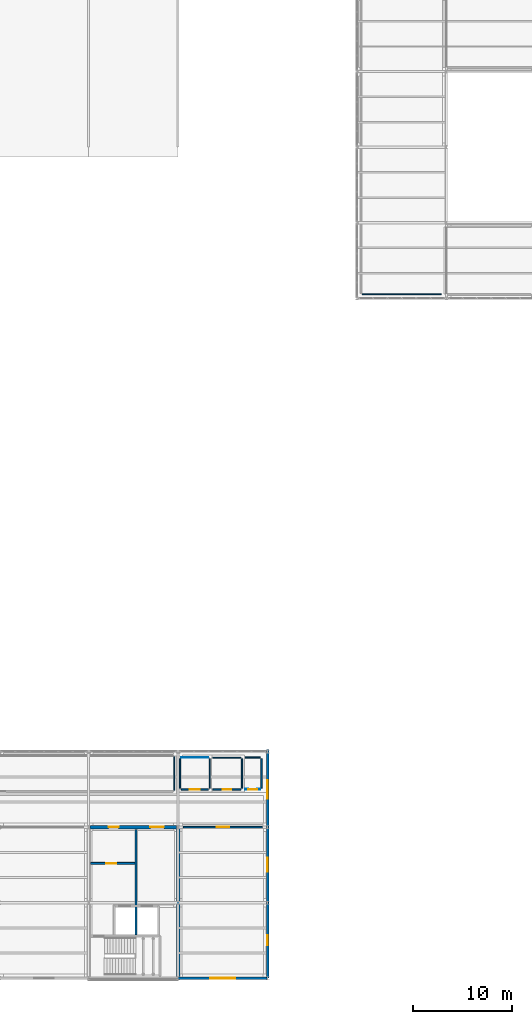
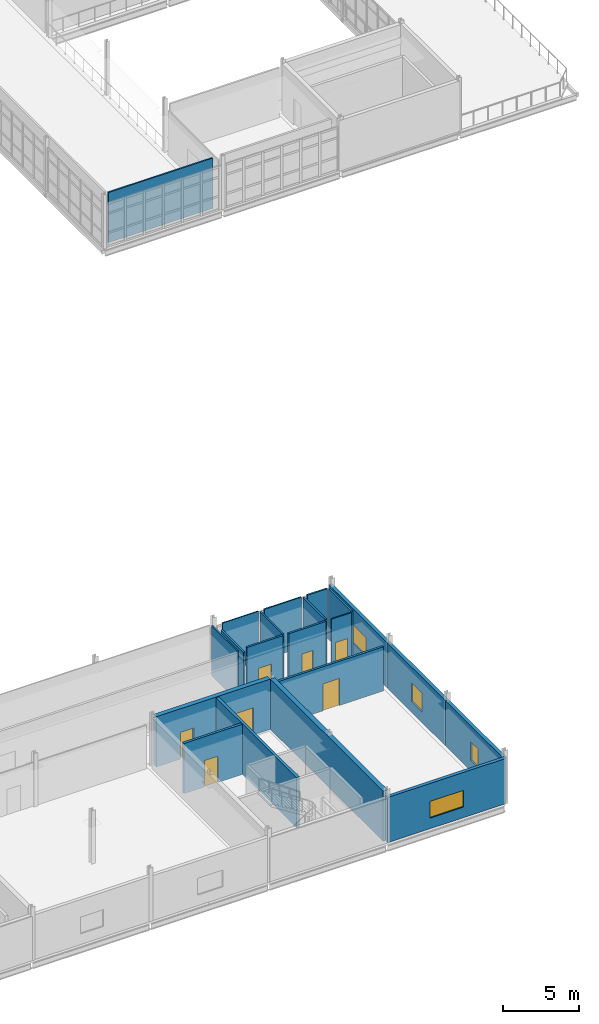
# One storey, part 42 of 48: 21 walls, 7 doors, 4 windows, 11 openings.
"""IFC4 building model written with IfcOpenShell, lengths in metres."""

from ifc_helpers import new_model, si_unit, direction, frame, frame_2d, origin, place, context, subcontext, project, spatial, rectangle, extrude, material, layer, layer_set, type_object, element, fill, save


model = new_model("IFC4")

# Units and contexts
model_context = context("Model", 3, precision=1e-05, world=origin(), true_north=direction((0.0, 1.0)))
body_context = subcontext(model_context, "Body", "Model", "MODEL_VIEW")
ifc_project = project(units=[si_unit("LENGTHUNIT", "METRE"), si_unit("AREAUNIT", "SQUARE_METRE"), si_unit("VOLUMEUNIT", "CUBIC_METRE"), si_unit("PLANEANGLEUNIT", "RADIAN"), si_unit("MASSUNIT", "GRAM", prefix="KILO")], contexts=[model_context])

# Site, building, storey
site_placement = place(None, origin())
site = spatial("IfcSite", under=ifc_project, at=site_placement, CompositionType="ELEMENT")
building_placement = place(site_placement, origin())
building = spatial("IfcBuilding", under=site, at=building_placement, Name="Caisbarro Railhouse Central Library", CompositionType="ELEMENT")
storey_placement = place(building_placement, frame((0.0, 0.0, 18.0)))
storey = spatial("IfcBuildingStorey", under=building, at=storey_placement, Name="L04", CompositionType="ELEMENT", Elevation=18.0)

# Wall, openings, doors
ifc_material_1 = material(Name="Concrete C40", Category="concrete")
ifc_layer_1 = layer(ifc_material_1, 0.35009765625, Name="Concrete C40")
ifc_layer_set_1 = layer_set([ifc_layer_1], Name="Concrete C40")
wall_type_1 = type_object("IfcWallType", Name="WAL-CW35", PredefinedType="SHEAR", material=ifc_layer_set_1)
wall_1_placement = place(storey_placement, frame((90.159912109375, 15.199951171875, 0.0), z_axis=(0.0, 0.0, 1.0), x_axis=(1.0, 0.0, 0.0)))
wall_1 = element("IfcWall", 1, at=wall_1_placement, inside=storey, type_object=wall_type_1, Name="CW35 RC core shear wall L04 #35", PredefinedType="SHEAR", context=body_context, shape_type="SweptSolid", body=[
    extrude(rectangle(XDim=8.68017578125, YDim=0.35009765625, at=frame_2d((4.340087890625, 0.0))), origin(), (0.0, 0.0, 1.0), 4.0400390625),
])
opening_1_placement = place(wall_1_placement, frame((1.85009765625, 0.0, 0.0)))
opening_1 = element("IfcOpeningElement", 2, at=opening_1_placement, cuts=wall_1, Name="Opening FD05", PredefinedType="OPENING", context=body_context, shape_type="SweptSolid", body=[
    extrude(rectangle(XDim=1.0, YDim=2.14990234375, at=frame_2d((0.5, 1.074951171875))), frame((0.0, 0.18505859375, 0.0), z_axis=(0.0, -1.0, 0.0), x_axis=(1.0, 0.0, 0.0)), (0.0, 0.0, 1.0), 0.3701171875),
])
opening_2_placement = place(wall_1_placement, frame((6.050048828125, 0.0, 0.0)))
opening_2 = element("IfcOpeningElement", 3, at=opening_2_placement, cuts=wall_1, Name="Opening FD06", PredefinedType="OPENING", context=body_context, shape_type="SweptSolid", body=[
    extrude(rectangle(XDim=1.35009765625, YDim=2.179931640625, at=frame_2d((0.675048828125, 1.08984375))), frame((0.0, 0.18505859375, 0.0), z_axis=(0.0, -1.0, 0.0), x_axis=(1.0, 0.0, 0.0)), (0.0, 0.0, 1.0), 0.3701171875),
])
ifc_material_2 = material(Name="Fire-rated painted galvanised steel", Category="steel")
door_type_1 = type_object("IfcDoorType", Name="DR-FD05", OperationType="NOTDEFINED", PredefinedType="DOOR", material=ifc_material_2)
door_1_placement = place(opening_1_placement, origin())
door_1 = element("IfcDoor", 4, at=door_1_placement, inside=storey, type_object=door_type_1, Name="Core K2 Vestibule Door FD05 L04-077", OperationType="SINGLE_SWING_LEFT", OverallHeight=2.14990234375, OverallWidth=1.0, PredefinedType="DOOR", context=body_context, shape_type="SweptSolid", body=[
    extrude(rectangle(XDim=1.0, YDim=2.14990234375, at=frame_2d((0.5, 1.074951171875))), frame((0.0, 0.02490234375, 0.0), z_axis=(0.0, -1.0, 0.0), x_axis=(1.0, 0.0, 0.0)), (0.0, 0.0, 1.0), 0.050048828125),
])
fill(opening_1, door_1)
door_type_2 = type_object("IfcDoorType", Name="DR-FD06", OperationType="NOTDEFINED", PredefinedType="DOOR", material=ifc_material_2)
door_2_placement = place(opening_2_placement, origin())
door_2 = element("IfcDoor", 5, at=door_2_placement, inside=storey, type_object=door_type_2, Name="Core K2 Lift Lobby Door FD06 L04-078", OperationType="SINGLE_SWING_RIGHT", OverallHeight=2.179931640625, OverallWidth=1.35009765625, PredefinedType="DOOR", context=body_context, shape_type="SweptSolid", body=[
    extrude(rectangle(XDim=1.35009765625, YDim=2.179931640625, at=frame_2d((0.675048828125, 1.08984375))), frame((0.0, 0.02490234375, 0.0), z_axis=(0.0, -1.0, 0.0), x_axis=(1.0, 0.0, 0.0)), (0.0, 0.0, 1.0), 0.050048828125),
])
fill(opening_2, door_2)

# Wall
wall_2_placement = place(storey_placement, frame((99.0, 0.159912109375, 0.0), z_axis=(0.0, 0.0, 1.0), x_axis=(0.0, 1.0, 0.0)))
element("IfcWall", 6, at=wall_2_placement, inside=storey, type_object=wall_type_1, Name="CW35 RC core shear wall L04 #37", PredefinedType="SHEAR", context=body_context, shape_type="SweptSolid", body=[
    extrude(rectangle(XDim=14.880126953125, YDim=0.35009765625, at=frame_2d((7.43994140625, 0.0))), origin(), (0.0, 0.0, 1.0), 4.0400390625),
])

# Wall, opening, window
ifc_material_3 = material(Name="Concrete C35 insulated architectural precast", Category="concrete")
ifc_layer_2 = layer(ifc_material_3, 0.260009765625, Name="Concrete C35 insulated architectural precast")
ifc_layer_set_2 = layer_set([ifc_layer_2], Name="Concrete C35 insulated architectural precast")
wall_type_2 = type_object("IfcWallType", Name="WAL-EW26", PredefinedType="STANDARD", material=ifc_layer_set_2)
wall_3_placement = place(storey_placement, frame((99.0, 0.0, 0.0), z_axis=(0.0, 0.0, 1.0), x_axis=(1.0, 0.0, 0.0)))
wall_3 = element("IfcWall", 7, at=wall_3_placement, inside=storey, type_object=wall_type_2, Name="EW26 exterior wall L04 #121", PredefinedType="STANDARD", context=body_context, shape_type="SweptSolid", body=[
    extrude(rectangle(XDim=9.0, YDim=0.260009765625, at=frame_2d((4.5, 0.0))), origin(), (0.0, 0.0, 1.0), 3.64111328125),
])
opening_3_placement = place(wall_3_placement, frame((3.22509765625, 0.0, 0.85009765625)))
opening_3 = element("IfcOpeningElement", 8, at=opening_3_placement, cuts=wall_3, Name="Opening W18", PredefinedType="OPENING", context=body_context, shape_type="SweptSolid", body=[
    extrude(rectangle(XDim=2.550048828125, YDim=1.35009765625, at=frame_2d((1.27490234375, 0.675048828125))), frame((0.0, 0.14013671875, 0.0), z_axis=(0.0, -1.0, 0.0), x_axis=(1.0, 0.0, 0.0)), (0.0, 0.0, 1.0), 0.280029296875),
])
ifc_material_4 = material(Name="Double low-e laminated solar-control glass", Category="glass")
window_type_1 = type_object("IfcWindowType", Name="WIN-W18", PartitioningType="SINGLE_PANEL", PredefinedType="WINDOW", material=ifc_material_4)
window_1_placement = place(opening_3_placement, origin())
window_1 = element("IfcWindow", 9, at=window_1_placement, inside=storey, type_object=window_type_1, Name="W18 window L04-039", OverallHeight=1.35009765625, OverallWidth=2.550048828125, PartitioningType="SINGLE_PANEL", PredefinedType="WINDOW", context=body_context, shape_type="SweptSolid", body=[
    extrude(rectangle(XDim=2.550048828125, YDim=1.35009765625, at=frame_2d((1.27490234375, 0.675048828125))), frame((0.0, 0.030029296875, 0.0), z_axis=(0.0, -1.0, 0.0), x_axis=(1.0, 0.0, 0.0)), (0.0, 0.0, 1.0), 0.06005859375),
])
fill(opening_3, window_1)

wall_4_placement = place(storey_placement, frame((108.0, 0.0, 0.0), z_axis=(0.0, 0.0, 1.0), x_axis=(0.0, 1.0, 0.0)))
wall_4 = element("IfcWall", 10, at=wall_4_placement, inside=storey, type_object=wall_type_2, Name="EW26 exterior wall L04 #122", PredefinedType="STANDARD", context=body_context, shape_type="SweptSolid", body=[
    extrude(rectangle(XDim=7.60009765625, YDim=0.260009765625, at=frame_2d((3.800048828125, 0.0))), origin(), (0.0, 0.0, 1.0), 3.62890625),
])
opening_4_placement = place(wall_4_placement, frame((3.300048828125, 0.0, 0.85009765625)))
opening_4 = element("IfcOpeningElement", 11, at=opening_4_placement, cuts=wall_4, Name="Opening W19", PredefinedType="OPENING", context=body_context, shape_type="SweptSolid", body=[
    extrude(rectangle(XDim=1.0, YDim=1.5, at=frame_2d((0.5, 0.75))), frame((0.0, 0.14013671875, 0.0), z_axis=(0.0, -1.0, 0.0), x_axis=(1.0, 0.0, 0.0)), (0.0, 0.0, 1.0), 0.280029296875),
])
window_type_2 = type_object("IfcWindowType", Name="WIN-W19", PartitioningType="SINGLE_PANEL", PredefinedType="WINDOW", material=ifc_material_4)
window_2_placement = place(opening_4_placement, origin())
window_2 = element("IfcWindow", 12, at=window_2_placement, inside=storey, type_object=window_type_2, Name="W19 window L04-040", OverallHeight=1.5, OverallWidth=1.0, PartitioningType="SINGLE_PANEL", PredefinedType="WINDOW", context=body_context, shape_type="SweptSolid", body=[
    extrude(rectangle(XDim=1.0, YDim=1.5, at=frame_2d((0.5, 0.75))), frame((0.0, 0.030029296875, 0.0), z_axis=(0.0, -1.0, 0.0), x_axis=(1.0, 0.0, 0.0)), (0.0, 0.0, 1.0), 0.06005859375),
])
fill(opening_4, window_2)

wall_5_placement = place(storey_placement, frame((108.0, 7.60009765625, 0.0), z_axis=(0.0, 0.0, 1.0), x_axis=(0.0, 1.0, 0.0)))
wall_5 = element("IfcWall", 13, at=wall_5_placement, inside=storey, type_object=wall_type_2, Name="EW26 exterior wall L04 #124", PredefinedType="STANDARD", context=body_context, shape_type="SweptSolid", body=[
    extrude(rectangle(XDim=7.599853515625, YDim=0.260009765625, at=frame_2d((3.7998046875, 0.0))), origin(), (0.0, 0.0, 1.0), 3.62890625),
])
opening_5_placement = place(wall_5_placement, frame((3.10009765625, 0.0, 0.85009765625)))
opening_5 = element("IfcOpeningElement", 14, at=opening_5_placement, cuts=wall_5, Name="Opening W21", PredefinedType="OPENING", context=body_context, shape_type="SweptSolid", body=[
    extrude(rectangle(XDim=1.39990234375, YDim=1.5, at=frame_2d((0.699951171875, 0.75))), frame((0.0, 0.14013671875, 0.0), z_axis=(0.0, -1.0, 0.0), x_axis=(1.0, 0.0, 0.0)), (0.0, 0.0, 1.0), 0.280029296875),
])
window_type_3 = type_object("IfcWindowType", Name="WIN-W21", PartitioningType="SINGLE_PANEL", PredefinedType="WINDOW", material=ifc_material_4)
window_3_placement = place(opening_5_placement, origin())
window_3 = element("IfcWindow", 15, at=window_3_placement, inside=storey, type_object=window_type_3, Name="W21 window L04-042", OverallHeight=1.5, OverallWidth=1.39990234375, PartitioningType="SINGLE_PANEL", PredefinedType="WINDOW", context=body_context, shape_type="SweptSolid", body=[
    extrude(rectangle(XDim=1.39990234375, YDim=1.5, at=frame_2d((0.699951171875, 0.75))), frame((0.0, 0.030029296875, 0.0), z_axis=(0.0, -1.0, 0.0), x_axis=(1.0, 0.0, 0.0)), (0.0, 0.0, 1.0), 0.06005859375),
])
fill(opening_5, window_3)

wall_6_placement = place(storey_placement, frame((108.0, 15.199951171875, 0.0), z_axis=(0.0, 0.0, 1.0), x_axis=(0.0, 1.0, 0.0)))
wall_6 = element("IfcWall", 16, at=wall_6_placement, inside=storey, type_object=wall_type_2, Name="EW26 exterior wall L04 #126", PredefinedType="STANDARD", context=body_context, shape_type="SweptSolid", body=[
    extrude(rectangle(XDim=7.81005859375, YDim=0.260009765625, at=frame_2d((3.905029296875, 0.0))), origin(), (0.0, 0.0, 1.0), 3.62890625),
])
opening_6_placement = place(wall_6_placement, frame((2.875, 0.0, 0.85009765625)))
opening_6 = element("IfcOpeningElement", 17, at=opening_6_placement, cuts=wall_6, Name="Opening W23", PredefinedType="OPENING", context=body_context, shape_type="SweptSolid", body=[
    extrude(rectangle(XDim=1.85009765625, YDim=1.5, at=frame_2d((0.925048828125, 0.75))), frame((0.0, 0.14013671875, 0.0), z_axis=(0.0, -1.0, 0.0), x_axis=(1.0, 0.0, 0.0)), (0.0, 0.0, 1.0), 0.280029296875),
])
window_type_4 = type_object("IfcWindowType", Name="WIN-W23", PartitioningType="SINGLE_PANEL", PredefinedType="WINDOW", material=ifc_material_4)
window_4_placement = place(opening_6_placement, origin())
window_4 = element("IfcWindow", 18, at=window_4_placement, inside=storey, type_object=window_type_4, Name="W23 window L04-044", OverallHeight=1.5, OverallWidth=1.85009765625, PartitioningType="SINGLE_PANEL", PredefinedType="WINDOW", context=body_context, shape_type="SweptSolid", body=[
    extrude(rectangle(XDim=1.85009765625, YDim=1.5, at=frame_2d((0.925048828125, 0.75))), frame((0.0, 0.030029296875, 0.0), z_axis=(0.0, -1.0, 0.0), x_axis=(1.0, 0.0, 0.0)), (0.0, 0.0, 1.0), 0.06005859375),
])
fill(opening_6, window_4)

# Wall
ifc_material_5 = material(Name="Acoustic gypsum board on galvanised steel studs", Category="steel")
ifc_layer_3 = layer(ifc_material_5, 0.090087890625, Name="Acoustic gypsum board on galvanised steel studs")
ifc_layer_set_3 = layer_set([ifc_layer_3], Name="Acoustic gypsum board on galvanised steel studs")
wall_type_3 = type_object("IfcWallType", Name="WAL-IW09", PredefinedType="PARTITIONING", material=ifc_layer_set_3)
wall_7_placement = place(storey_placement, frame((99.320068359375, 22.199951171875, 0.0), z_axis=(0.0, 0.0, 1.0), x_axis=(1.0, 0.0, 0.0)))
element("IfcWall", 19, at=wall_7_placement, inside=storey, type_object=wall_type_3, Name="IW09 partition wall L04 #612", PredefinedType="PARTITIONING", context=body_context, shape_type="SweptSolid", body=[
    extrude(rectangle(XDim=2.72802734375, YDim=0.090087890625, at=frame_2d((1.364013671875, 0.0))), origin(), (0.0, 0.0, 1.0), 4.0400390625),
])

# Wall, opening, door
wall_8_placement = place(storey_placement, frame((105.756103515625, 19.0, 0.0), z_axis=(0.0, 0.0, 1.0), x_axis=(1.0, 0.0, 0.0)))
wall_8 = element("IfcWall", 20, at=wall_8_placement, inside=storey, type_object=wall_type_3, Name="IW09 partition wall L04 #616", PredefinedType="PARTITIONING", context=body_context, shape_type="SweptSolid", body=[
    extrude(rectangle(XDim=1.52392578125, YDim=0.090087890625, at=frame_2d((0.761962890625, 0.0))), origin(), (0.0, 0.0, 1.0), 4.0400390625),
])
opening_7_placement = place(wall_8_placement, frame((0.31201171875, 0.0, 0.0)))
opening_7 = element("IfcOpeningElement", 21, at=opening_7_placement, cuts=wall_8, Name="Opening ID02", PredefinedType="OPENING", context=body_context, shape_type="SweptSolid", body=[
    extrude(rectangle(XDim=0.89990234375, YDim=2.06005859375, at=frame_2d((0.449951171875, 1.030029296875))), frame((0.0, 0.05517578125, 0.0), z_axis=(0.0, -1.0, 0.0), x_axis=(1.0, 0.0, 0.0)), (0.0, 0.0, 1.0), 0.110107421875),
])
ifc_material_6 = material(Name="Solid-core tropical hardwood veneer", Category="wood")
door_type_3 = type_object("IfcDoorType", Name="DR-ID02", OperationType="NOTDEFINED", PredefinedType="DOOR", material=ifc_material_6)
door_3_placement = place(opening_7_placement, origin())
door_3 = element("IfcDoor", 22, at=door_3_placement, inside=storey, type_object=door_type_3, Name="Accessible WC L04-V5 Door ID02 L04-338", OperationType="SINGLE_SWING_RIGHT", OverallHeight=2.06005859375, OverallWidth=0.89990234375, PredefinedType="DOOR", context=body_context, shape_type="SweptSolid", body=[
    extrude(rectangle(XDim=0.89990234375, YDim=2.06005859375, at=frame_2d((0.449951171875, 1.030029296875))), frame((0.0, 0.02490234375, 0.0), z_axis=(0.0, -1.0, 0.0), x_axis=(1.0, 0.0, 0.0)), (0.0, 0.0, 1.0), 0.050048828125),
])
fill(opening_7, door_3)

# Walls
ifc_layer_4 = layer(ifc_material_5, 0.110107421875, Name="Acoustic gypsum board on galvanised steel studs")
ifc_layer_set_4 = layer_set([ifc_layer_4], Name="Acoustic gypsum board on galvanised steel studs")
wall_type_4 = type_object("IfcWallType", Name="WAL-IW11", PredefinedType="PARTITIONING", material=ifc_layer_set_4)
wall_9_placement = place(storey_placement, frame((98.60009765625, 18.919921875, 0.0), z_axis=(0.0, 0.0, 1.0), x_axis=(0.0, 1.0, 0.0)))
element("IfcWall", 23, at=wall_9_placement, inside=storey, type_object=wall_type_4, Name="IW11 partition wall L04 #607", PredefinedType="PARTITIONING", context=body_context, shape_type="SweptSolid", body=[
    extrude(rectangle(XDim=3.360107421875, YDim=0.110107421875, at=frame_2d((1.68017578125, 0.0))), origin(), (0.0, 0.0, 1.0), 4.0400390625),
])
wall_10_placement = place(storey_placement, frame((102.16796875, 19.1201171875, 0.0), z_axis=(0.0, 0.0, 1.0), x_axis=(0.0, 1.0, 0.0)))
element("IfcWall", 24, at=wall_10_placement, inside=storey, type_object=wall_type_4, Name="IW11 partition wall L04 #611", PredefinedType="PARTITIONING", context=body_context, shape_type="SweptSolid", body=[
    extrude(rectangle(XDim=2.9599609375, YDim=0.110107421875, at=frame_2d((1.47998046875, 0.0))), origin(), (0.0, 0.0, 1.0), 4.0400390625),
])
wall_11_placement = place(storey_placement, frame((102.488037109375, 22.199951171875, 0.0), z_axis=(0.0, 0.0, 1.0), x_axis=(1.0, 0.0, 0.0)))
element("IfcWall", 25, at=wall_11_placement, inside=storey, type_object=wall_type_4, Name="IW11 partition wall L04 #615", PredefinedType="PARTITIONING", context=body_context, shape_type="SweptSolid", body=[
    extrude(rectangle(XDim=2.827880859375, YDim=0.110107421875, at=frame_2d((1.4140625, 0.0))), origin(), (0.0, 0.0, 1.0), 4.0400390625),
])
wall_12_placement = place(storey_placement, frame((117.52001953125, 68.800048828125, 0.0), z_axis=(0.0, 0.0, 1.0), x_axis=(1.0, 0.0, 0.0)))
element("IfcWall", 26, at=wall_12_placement, inside=storey, type_object=wall_type_4, Name="IW11 partition wall L04 #635", PredefinedType="PARTITIONING", context=body_context, shape_type="SweptSolid", body=[
    extrude(rectangle(XDim=7.9599609375, YDim=0.110107421875, at=frame_2d((3.97998046875, 0.0))), origin(), (0.0, 0.0, 1.0), 4.0400390625),
])
ifc_layer_5 = layer(ifc_material_5, 0.1298828125, Name="Acoustic gypsum board on galvanised steel studs")
ifc_layer_set_5 = layer_set([ifc_layer_5], Name="Acoustic gypsum board on galvanised steel studs")
wall_type_5 = type_object("IfcWallType", Name="WAL-IW13", PredefinedType="PARTITIONING", material=ifc_layer_set_5)
wall_13_placement = place(storey_placement, frame((99.199951171875, 19.1201171875, 0.0), z_axis=(0.0, 0.0, 1.0), x_axis=(0.0, 1.0, 0.0)))
element("IfcWall", 27, at=wall_13_placement, inside=storey, type_object=wall_type_5, Name="IW13 partition wall L04 #610", PredefinedType="PARTITIONING", context=body_context, shape_type="SweptSolid", body=[
    extrude(rectangle(XDim=2.9599609375, YDim=0.1298828125, at=frame_2d((1.47998046875, 0.0))), origin(), (0.0, 0.0, 1.0), 3.59912109375),
])
wall_14_placement = place(storey_placement, frame((105.43603515625, 19.1201171875, 0.0), z_axis=(0.0, 0.0, 1.0), x_axis=(0.0, 1.0, 0.0)))
element("IfcWall", 28, at=wall_14_placement, inside=storey, type_object=wall_type_5, Name="IW13 partition wall L04 #614", PredefinedType="PARTITIONING", context=body_context, shape_type="SweptSolid", body=[
    extrude(rectangle(XDim=2.9599609375, YDim=0.1298828125, at=frame_2d((1.47998046875, 0.0))), origin(), (0.0, 0.0, 1.0), 4.0400390625),
])
wall_15_placement = place(storey_placement, frame((105.756103515625, 22.199951171875, 0.0), z_axis=(0.0, 0.0, 1.0), x_axis=(1.0, 0.0, 0.0)))
element("IfcWall", 29, at=wall_15_placement, inside=storey, type_object=wall_type_5, Name="IW13 partition wall L04 #618", PredefinedType="PARTITIONING", context=body_context, shape_type="SweptSolid", body=[
    extrude(rectangle(XDim=1.52392578125, YDim=0.1298828125, at=frame_2d((0.761962890625, 0.0))), origin(), (0.0, 0.0, 1.0), 4.0400390625),
])

# Wall, opening, door
ifc_layer_6 = layer(ifc_material_5, 0.14990234375, Name="Acoustic gypsum board on galvanised steel studs")
ifc_layer_set_6 = layer_set([ifc_layer_6], Name="Acoustic gypsum board on galvanised steel studs")
wall_type_6 = type_object("IfcWallType", Name="WAL-IW15", PredefinedType="PARTITIONING", material=ifc_layer_set_6)
wall_16_placement = place(storey_placement, frame((99.320068359375, 19.0, 0.0), z_axis=(0.0, 0.0, 1.0), x_axis=(1.0, 0.0, 0.0)))
wall_16 = element("IfcWall", 30, at=wall_16_placement, inside=storey, type_object=wall_type_6, Name="IW15 partition wall L04 #609", PredefinedType="PARTITIONING", context=body_context, shape_type="SweptSolid", body=[
    extrude(rectangle(XDim=2.72802734375, YDim=0.14990234375, at=frame_2d((1.364013671875, 0.0))), origin(), (0.0, 0.0, 1.0), 4.0400390625),
])
opening_8_placement = place(wall_16_placement, frame((0.8740234375, 0.0, 0.0)))
opening_8 = element("IfcOpeningElement", 31, at=opening_8_placement, cuts=wall_16, Name="Opening ID04", PredefinedType="OPENING", context=body_context, shape_type="SweptSolid", body=[
    extrude(rectangle(XDim=0.97998046875, YDim=2.06005859375, at=frame_2d((0.489990234375, 1.030029296875))), frame((0.0, 0.0849609375, 0.0), z_axis=(0.0, -1.0, 0.0), x_axis=(1.0, 0.0, 0.0)), (0.0, 0.0, 1.0), 0.169921875),
])
door_type_4 = type_object("IfcDoorType", Name="DR-ID04", OperationType="NOTDEFINED", PredefinedType="DOOR", material=ifc_material_6)
door_4_placement = place(opening_8_placement, origin())
door_4 = element("IfcDoor", 32, at=door_4_placement, inside=storey, type_object=door_type_4, Name="Male WC L04-V5 Door ID04 L04-336", OperationType="SINGLE_SWING_RIGHT", OverallHeight=2.06005859375, OverallWidth=0.97998046875, PredefinedType="DOOR", context=body_context, shape_type="SweptSolid", body=[
    extrude(rectangle(XDim=0.97998046875, YDim=2.06005859375, at=frame_2d((0.489990234375, 1.030029296875))), frame((0.0, 0.02490234375, 0.0), z_axis=(0.0, -1.0, 0.0), x_axis=(1.0, 0.0, 0.0)), (0.0, 0.0, 1.0), 0.050048828125),
])
fill(opening_8, door_4)

wall_17_placement = place(storey_placement, frame((102.488037109375, 19.0, 0.0), z_axis=(0.0, 0.0, 1.0), x_axis=(1.0, 0.0, 0.0)))
wall_17 = element("IfcWall", 33, at=wall_17_placement, inside=storey, type_object=wall_type_6, Name="IW15 partition wall L04 #613", PredefinedType="PARTITIONING", context=body_context, shape_type="SweptSolid", body=[
    extrude(rectangle(XDim=2.827880859375, YDim=0.14990234375, at=frame_2d((1.4140625, 0.0))), origin(), (0.0, 0.0, 1.0), 4.0400390625),
])
opening_9_placement = place(wall_17_placement, frame((0.98388671875, 0.0, 0.0)))
opening_9 = element("IfcOpeningElement", 34, at=opening_9_placement, cuts=wall_17, Name="Opening ID01", PredefinedType="OPENING", context=body_context, shape_type="SweptSolid", body=[
    extrude(rectangle(XDim=0.860107421875, YDim=2.06005859375, at=frame_2d((0.43017578125, 1.030029296875))), frame((0.0, 0.0849609375, 0.0), z_axis=(0.0, -1.0, 0.0), x_axis=(1.0, 0.0, 0.0)), (0.0, 0.0, 1.0), 0.169921875),
])
door_type_5 = type_object("IfcDoorType", Name="DR-ID01", OperationType="NOTDEFINED", PredefinedType="DOOR", material=ifc_material_6)
door_5_placement = place(opening_9_placement, origin())
door_5 = element("IfcDoor", 35, at=door_5_placement, inside=storey, type_object=door_type_5, Name="Female WC L04-V5 Door ID01 L04-337", OperationType="SINGLE_SWING_LEFT", OverallHeight=2.06005859375, OverallWidth=0.860107421875, PredefinedType="DOOR", context=body_context, shape_type="SweptSolid", body=[
    extrude(rectangle(XDim=0.860107421875, YDim=2.06005859375, at=frame_2d((0.43017578125, 1.030029296875))), frame((0.0, 0.02490234375, 0.0), z_axis=(0.0, -1.0, 0.0), x_axis=(1.0, 0.0, 0.0)), (0.0, 0.0, 1.0), 0.050048828125),
])
fill(opening_9, door_5)

# Wall
wall_18_placement = place(storey_placement, frame((107.39990234375, 19.1201171875, 0.0), z_axis=(0.0, 0.0, 1.0), x_axis=(0.0, 1.0, 0.0)))
element("IfcWall", 36, at=wall_18_placement, inside=storey, type_object=wall_type_6, Name="IW15 partition wall L04 #617", PredefinedType="PARTITIONING", context=body_context, shape_type="SweptSolid", body=[
    extrude(rectangle(XDim=2.9599609375, YDim=0.14990234375, at=frame_2d((1.47998046875, 0.0))), origin(), (0.0, 0.0, 1.0), 4.0400390625),
])

# Wall, opening, door
ifc_material_7 = material(Name="Plastered cellular concrete masonry", Category="masonry")
ifc_layer_7 = layer(ifc_material_7, 0.169921875, Name="Plastered cellular concrete masonry")
ifc_layer_set_7 = layer_set([ifc_layer_7], Name="Plastered cellular concrete masonry")
wall_type_7 = type_object("IfcWallType", Name="WAL-IW17", PredefinedType="PARTITIONING", material=ifc_layer_set_7)
wall_19_placement = place(storey_placement, frame((99.52001953125, 15.199951171875, 0.0), z_axis=(0.0, 0.0, 1.0), x_axis=(1.0, 0.0, 0.0)))
wall_19 = element("IfcWall", 37, at=wall_19_placement, inside=storey, type_object=wall_type_7, Name="IW17 partition wall L04 #605", PredefinedType="PARTITIONING", context=body_context, shape_type="SweptSolid", body=[
    extrude(rectangle(XDim=7.9599609375, YDim=0.169921875, at=frame_2d((3.97998046875, 0.0))), origin(), (0.0, 0.0, 1.0), 3.553955078125),
])
opening_10_placement = place(wall_19_placement, frame((3.35498046875, 0.0, 0.0)))
opening_10 = element("IfcOpeningElement", 38, at=opening_10_placement, cuts=wall_19, Name="Opening FD04", PredefinedType="OPENING", context=body_context, shape_type="SweptSolid", body=[
    extrude(rectangle(XDim=1.25, YDim=2.179931640625, at=frame_2d((0.625, 1.08984375))), frame((0.0, 0.094970703125, 0.0), z_axis=(0.0, -1.0, 0.0), x_axis=(1.0, 0.0, 0.0)), (0.0, 0.0, 1.0), 0.18994140625),
])
door_type_6 = type_object("IfcDoorType", Name="DR-FD04", OperationType="NOTDEFINED", PredefinedType="DOOR", material=ifc_material_2)
door_6_placement = place(opening_10_placement, origin())
door_6 = element("IfcDoor", 39, at=door_6_placement, inside=storey, type_object=door_type_6, Name="Historical Newspaper Closed Archive Door FD04 L04-334", OperationType="SINGLE_SWING_RIGHT", OverallHeight=2.179931640625, OverallWidth=1.25, PredefinedType="DOOR", context=body_context, shape_type="SweptSolid", body=[
    extrude(rectangle(XDim=1.25, YDim=2.179931640625, at=frame_2d((0.625, 1.08984375))), frame((0.0, 0.02490234375, 0.0), z_axis=(0.0, -1.0, 0.0), x_axis=(1.0, 0.0, 0.0)), (0.0, 0.0, 1.0), 0.050048828125),
])
fill(opening_10, door_6)

ifc_layer_8 = layer(ifc_material_7, 0.18994140625, Name="Plastered cellular concrete masonry")
ifc_layer_set_8 = layer_set([ifc_layer_8], Name="Plastered cellular concrete masonry")
wall_type_8 = type_object("IfcWallType", Name="WAL-SW19", PredefinedType="SOLIDWALL", material=ifc_layer_set_8)
wall_20_placement = place(storey_placement, frame((90.199951171875, 11.550048828125, 0.0), z_axis=(0.0, 0.0, 1.0), x_axis=(1.0, 0.0, 0.0)))
wall_20 = element("IfcWall", 40, at=wall_20_placement, inside=storey, type_object=wall_type_8, Name="SW19 partition wall L04 #91", PredefinedType="SOLIDWALL", context=body_context, shape_type="SweptSolid", body=[
    extrude(rectangle(XDim=4.449951171875, YDim=0.18994140625, at=frame_2d((2.22509765625, 0.0))), origin(), (0.0, 0.0, 1.0), 4.0400390625),
])
opening_11_placement = place(wall_20_placement, frame((1.550048828125, 0.0, 0.0)))
opening_11 = element("IfcOpeningElement", 41, at=opening_11_placement, cuts=wall_20, Name="Opening FD02", PredefinedType="OPENING", context=body_context, shape_type="SweptSolid", body=[
    extrude(rectangle(XDim=1.050048828125, YDim=2.1201171875, at=frame_2d((0.52490234375, 1.06005859375))), frame((0.0, 0.10498046875, 0.0), z_axis=(0.0, -1.0, 0.0), x_axis=(1.0, 0.0, 0.0)), (0.0, 0.0, 1.0), 0.2099609375),
])
door_type_7 = type_object("IfcDoorType", Name="DR-FD02", OperationType="NOTDEFINED", PredefinedType="DOOR", material=ifc_material_2)
door_7_placement = place(opening_11_placement, origin())
door_7 = element("IfcDoor", 42, at=door_7_placement, inside=storey, type_object=door_type_7, Name="Firefighting Lobby K2 Door FD02 L04-076", OperationType="SINGLE_SWING_RIGHT", OverallHeight=2.1201171875, OverallWidth=1.050048828125, PredefinedType="DOOR", context=body_context, shape_type="SweptSolid", body=[
    extrude(rectangle(XDim=1.050048828125, YDim=2.1201171875, at=frame_2d((0.52490234375, 1.06005859375))), frame((0.0, 0.02490234375, 0.0), z_axis=(0.0, -1.0, 0.0), x_axis=(1.0, 0.0, 0.0)), (0.0, 0.0, 1.0), 0.050048828125),
])
fill(opening_11, door_7)

# Wall
ifc_layer_9 = layer(ifc_material_1, 0.2099609375, Name="Concrete C40")
ifc_layer_set_9 = layer_set([ifc_layer_9], Name="Concrete C40")
wall_type_9 = type_object("IfcWallType", Name="WAL-SW21", PredefinedType="SOLIDWALL", material=ifc_layer_set_9)
wall_21_placement = place(storey_placement, frame((94.77001953125, 4.35009765625, 0.0), z_axis=(0.0, 0.0, 1.0), x_axis=(0.0, 1.0, 0.0)))
element("IfcWall", 43, at=wall_21_placement, inside=storey, type_object=wall_type_9, Name="SW21 core shaft wall L04 #88", PredefinedType="SOLIDWALL", context=body_context, shape_type="SweptSolid", body=[
    extrude(rectangle(XDim=10.599853515625, YDim=0.2099609375, at=frame_2d((5.2998046875, 0.0))), origin(), (0.0, 0.0, 1.0), 4.0400390625),
])

save(model, "model.ifc")
